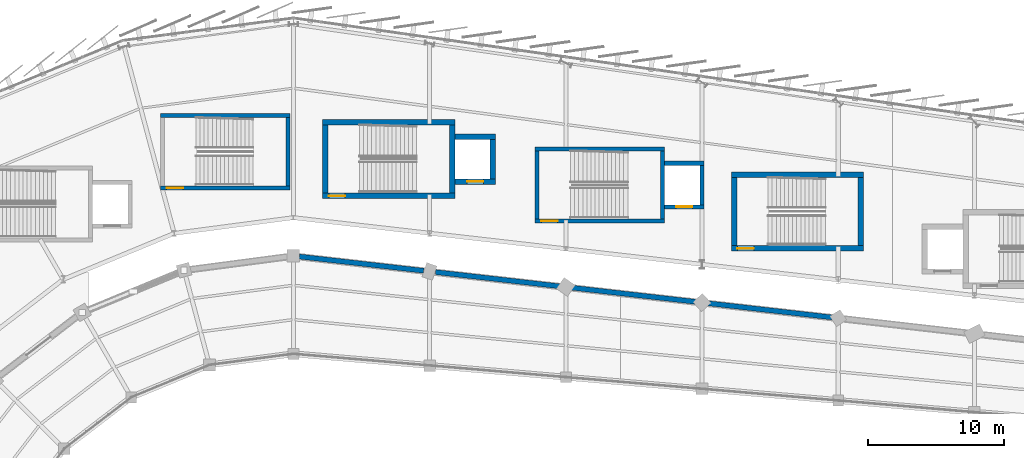
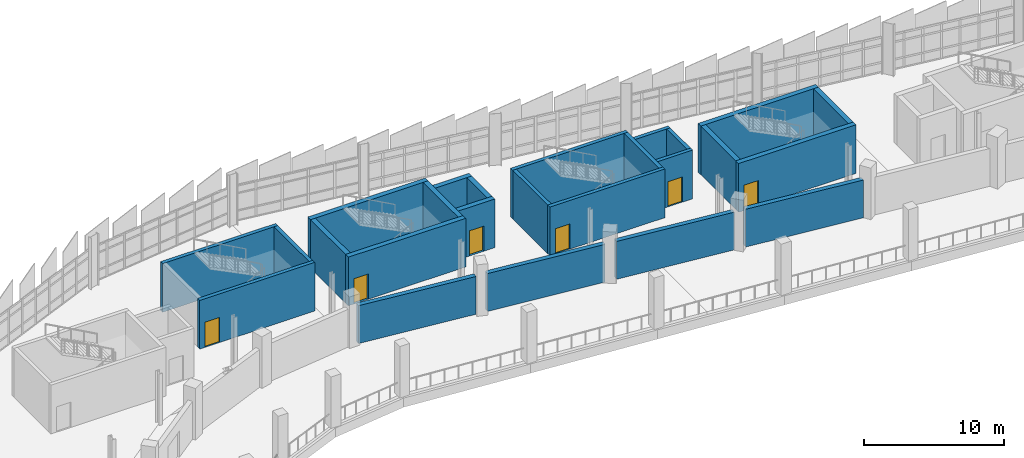
# One storey, part 106 of 125: 25 walls, 6 doors, 6 openings.
"""IFC4 building model written with IfcOpenShell, lengths in metres."""

from ifc_helpers import new_model, si_unit, direction, frame, frame_2d, origin, place, context, subcontext, project, spatial, rectangle, extrude, material, layer, layer_set, type_object, element, fill, save


model = new_model("IFC4")

# Units and contexts
model_context = context("Model", 3, precision=1e-05, world=origin(), true_north=direction((0.0, 1.0)))
body_context = subcontext(model_context, "Body", "Model", "MODEL_VIEW")
ifc_project = project(units=[si_unit("LENGTHUNIT", "METRE"), si_unit("AREAUNIT", "SQUARE_METRE"), si_unit("VOLUMEUNIT", "CUBIC_METRE"), si_unit("PLANEANGLEUNIT", "RADIAN"), si_unit("MASSUNIT", "GRAM", prefix="KILO")], contexts=[model_context])

# Site, building, storey
site_placement = place(None, origin())
site = spatial("IfcSite", under=ifc_project, at=site_placement, CompositionType="ELEMENT")
building_placement = place(site_placement, origin())
building = spatial("IfcBuilding", under=site, at=building_placement, Name="Sohan Crest Arena", CompositionType="ELEMENT")
storey_placement = place(building_placement, frame((0.0, 0.0, 9.0)))
storey = spatial("IfcBuildingStorey", under=building, at=storey_placement, Name="L02", CompositionType="ELEMENT", Elevation=9.0)

# Walls
ifc_material_1 = material(Name="Acoustic insulated bowl drum enclosure wall", Category="masonry")
ifc_layer_1 = layer(ifc_material_1, 0.3701171875, Name="Acoustic insulated bowl drum enclosure wall")
ifc_layer_set_1 = layer_set([ifc_layer_1], Name="Acoustic insulated bowl drum enclosure wall")
wall_type_1 = type_object("IfcWallType", Name="WAL-EW05", PredefinedType="SOLIDWALL", material=ifc_layer_set_1)
for number, where, z_axis, x_axis, name in (
    (1, (137.56298828125, 104.47900390625, 0.0), (0.0, 0.0, 1.0), (-0.993544661122, 0.113441642955, 0.0), "Acoustic bowl drum wall BW-L02-31"),
    (2, (127.56298828125, 105.62109375, 0.0), (0.0, 0.0, 1.0), (-0.993532672656, 0.113546591161, 0.0), "Acoustic bowl drum wall BW-L02-32"),
    (3, (117.56298828125, 106.763916015625, 0.0), (0.0, 0.0, 1.0), (-0.993532672656, 0.113546591161, 0.0), "Acoustic bowl drum wall BW-L02-33"),
    (4, (107.56298828125, 107.906982421875, 0.0), (0.0, 0.0, 1.0), (-0.993532672656, 0.113546591161, 0.0), "Acoustic bowl drum wall BW-L02-34"),
):
    element("IfcWall", number, at=place(storey_placement, frame(where, z_axis=z_axis, x_axis=x_axis)), inside=storey, type_object=wall_type_1, Name=name, PredefinedType="SOLIDWALL", context=body_context, shape_type="SweptSolid", body=[
        extrude(rectangle(XDim=9.185302734375, YDim=0.3701171875, at=frame_2d((4.5927734375, 0.0))), origin(), (0.0, 0.0, 1.0), 3.300048828125),
    ])
ifc_material_2 = material(Name="Concrete C40/50", Category="concrete")
ifc_layer_2 = layer(ifc_material_2, 0.300048828125, Name="Concrete C40/50")
ifc_layer_set_2 = layer_set([ifc_layer_2], Name="Concrete C40/50")
wall_type_2 = type_object("IfcWallType", Name="WAL-SW01", PredefinedType="SHEAR", material=ifc_layer_set_2)
for number, where, z_axis, x_axis, name in (
    (5, (115.89990234375, 111.699951171875, 0.0), (0.0, 0.0, 1.0), (0.0, 1.0, 0.0), "Core shear wall SW-0388"),
    (6, (125.10009765625, 111.699951171875, 0.0), (0.0, 0.0, 1.0), (0.0, 1.0, 0.0), "Core shear wall SW-0389"),
):
    element("IfcWall", number, at=place(storey_placement, frame(where, z_axis=z_axis, x_axis=x_axis)), inside=storey, type_object=wall_type_2, Name=name, PredefinedType="SHEAR", context=body_context, shape_type="SweptSolid", body=[
        extrude(rectangle(XDim=5.0, YDim=0.300048828125, at=frame_2d((2.5, 0.0))), origin(), (0.0, 0.0, 1.0), 4.25),
    ])

# Wall, opening, door
wall_1_placement = place(storey_placement, frame((115.75, 111.550048828125, 0.0), z_axis=(0.0, 0.0, 1.0), x_axis=(1.0, 0.0, 0.0)))
wall_1 = element("IfcWall", 7, at=wall_1_placement, inside=storey, type_object=wall_type_2, Name="Core shear wall SW-0390", PredefinedType="SHEAR", context=body_context, shape_type="SweptSolid", body=[
    extrude(rectangle(XDim=9.5, YDim=0.300048828125, at=frame_2d((4.75, 0.0))), origin(), (0.0, 0.0, 1.0), 4.25),
])
opening_1_placement = place(wall_1_placement, frame((0.449951171875, 0.0, 0.0)))
opening_1 = element("IfcOpeningElement", 8, at=opening_1_placement, cuts=wall_1, Name="Opening SD-0109", PredefinedType="OPENING", context=body_context, shape_type="SweptSolid", body=[
    extrude(rectangle(XDim=1.199951171875, YDim=2.199951171875, at=frame_2d((0.60009765625, 1.10009765625))), frame((0.0, 0.159912109375, 0.0), z_axis=(0.0, -1.0, 0.0), x_axis=(1.0, 0.0, 0.0)), (0.0, 0.0, 1.0), 0.320068359375),
])
ifc_material_3 = material(Name="Fire-rated steel stair and lobby door", Category="steel")
door_type_1 = type_object("IfcDoorType", Name="DR-FD04", OperationType="NOTDEFINED", PredefinedType="DOOR", material=ifc_material_3)
door_1_placement = place(opening_1_placement, frame((1.199951171875, 0.0, 0.0), z_axis=(0.0, 0.0, 1.0), x_axis=(-1.0, 0.0, 0.0)))
door_1 = element("IfcDoor", 9, at=door_1_placement, inside=storey, type_object=door_type_1, Name="Protected stair door SD-0109", OperationType="SINGLE_SWING_RIGHT", OverallHeight=2.199951171875, OverallWidth=1.199951171875, PredefinedType="DOOR", context=body_context, shape_type="SweptSolid", body=[
    extrude(rectangle(XDim=1.199951171875, YDim=2.199951171875, at=frame_2d((0.60009765625, 1.10009765625))), frame((0.0, 0.02490234375, 0.0), z_axis=(0.0, -1.0, 0.0), x_axis=(1.0, 0.0, 0.0)), (0.0, 0.0, 1.0), 0.050048828125),
])
fill(opening_1, door_1)

# Walls
wall_2_placement = place(storey_placement, frame((115.75, 116.85009765625, 0.0), z_axis=(0.0, 0.0, 1.0), x_axis=(1.0, 0.0, 0.0)))
element("IfcWall", 10, at=wall_2_placement, inside=storey, type_object=wall_type_2, Name="Core shear wall SW-0391", PredefinedType="SHEAR", context=body_context, shape_type="SweptSolid", body=[
    extrude(rectangle(XDim=9.5, YDim=0.300048828125, at=frame_2d((4.75, 0.0))), origin(), (0.0, 0.0, 1.0), 4.25),
])
wall_3_placement = place(storey_placement, frame((128.0, 112.75, 0.0), z_axis=(0.0, 0.0, 1.0), x_axis=(0.0, 1.0, 0.0)))
element("IfcWall", 11, at=wall_3_placement, inside=storey, type_object=wall_type_2, Name="Core shear wall SW-0392", PredefinedType="SHEAR", context=body_context, shape_type="SweptSolid", body=[
    extrude(rectangle(XDim=2.89990234375, YDim=0.300048828125, at=frame_2d((1.449951171875, 0.0))), origin(), (0.0, 0.0, 1.0), 4.25),
])

# Wall, opening, door
wall_4_placement = place(storey_placement, frame((125.25, 112.60009765625, 0.0), z_axis=(0.0, 0.0, 1.0), x_axis=(1.0, 0.0, 0.0)))
wall_4 = element("IfcWall", 12, at=wall_4_placement, inside=storey, type_object=wall_type_2, Name="Core shear wall SW-0393", PredefinedType="SHEAR", context=body_context, shape_type="SweptSolid", body=[
    extrude(rectangle(XDim=2.89990234375, YDim=0.300048828125, at=frame_2d((1.449951171875, 0.0))), origin(), (0.0, 0.0, 1.0), 4.25),
])
opening_2_placement = place(wall_4_placement, frame((0.85009765625, 0.0, 0.0)))
opening_2 = element("IfcOpeningElement", 13, at=opening_2_placement, cuts=wall_4, Name="Opening LD-LP06-L02", PredefinedType="OPENING", context=body_context, shape_type="SweptSolid", body=[
    extrude(rectangle(XDim=1.199951171875, YDim=2.199951171875, at=frame_2d((0.60009765625, 1.10009765625))), frame((0.0, 0.159912109375, 0.0), z_axis=(0.0, -1.0, 0.0), x_axis=(1.0, 0.0, 0.0)), (0.0, 0.0, 1.0), 0.320068359375),
])
ifc_material_4 = material(Name="Stainless steel passenger lift landing door", Category="steel")
door_type_2 = type_object("IfcDoorType", Name="DR-LD02", OperationType="SLIDING_TO_LEFT", PredefinedType="DOOR", material=ifc_material_4)
door_2_placement = place(opening_2_placement, origin())
door_2 = element("IfcDoor", 14, at=door_2_placement, inside=storey, type_object=door_type_2, Name="Sliding lift landing door LD-LP06-L02", OperationType="SLIDING_TO_LEFT", OverallHeight=2.199951171875, OverallWidth=1.199951171875, PredefinedType="DOOR", context=body_context, shape_type="SweptSolid", body=[
    extrude(rectangle(XDim=1.199951171875, YDim=2.199951171875, at=frame_2d((0.60009765625, 1.10009765625))), frame((0.0, 0.02490234375, 0.0), z_axis=(0.0, -1.0, 0.0), x_axis=(1.0, 0.0, 0.0)), (0.0, 0.0, 1.0), 0.050048828125),
])
fill(opening_2, door_2)

# Walls
wall_5_placement = place(storey_placement, frame((125.25, 115.800048828125, 0.0), z_axis=(0.0, 0.0, 1.0), x_axis=(1.0, 0.0, 0.0)))
element("IfcWall", 15, at=wall_5_placement, inside=storey, type_object=wall_type_2, Name="Core shear wall SW-0394", PredefinedType="SHEAR", context=body_context, shape_type="SweptSolid", body=[
    extrude(rectangle(XDim=2.89990234375, YDim=0.300048828125, at=frame_2d((1.449951171875, 0.0))), origin(), (0.0, 0.0, 1.0), 4.25),
])
wall_6_placement = place(storey_placement, frame((97.60009765625, 114.139892578125, 0.0), z_axis=(0.0, 0.0, 1.0), x_axis=(0.0, 1.0, 0.0)))
element("IfcWall", 16, at=wall_6_placement, inside=storey, type_object=wall_type_2, Name="Core shear wall SW-0770", PredefinedType="SHEAR", context=body_context, shape_type="SweptSolid", body=[
    extrude(rectangle(XDim=5.0, YDim=0.300048828125, at=frame_2d((2.5, 0.0))), origin(), (0.0, 0.0, 1.0), 4.25),
])

# Wall, opening, door
wall_7_placement = place(storey_placement, frame((88.25, 113.989990234375, 0.0), z_axis=(0.0, 0.0, 1.0), x_axis=(1.0, 0.0, 0.0)))
wall_7 = element("IfcWall", 17, at=wall_7_placement, inside=storey, type_object=wall_type_2, Name="Core shear wall SW-0771", PredefinedType="SHEAR", context=body_context, shape_type="SweptSolid", body=[
    extrude(rectangle(XDim=9.5, YDim=0.300048828125, at=frame_2d((4.75, 0.0))), origin(), (0.0, 0.0, 1.0), 4.25),
])
opening_3_placement = place(wall_7_placement, frame((0.449951171875, 0.0, 0.0)))
opening_3 = element("IfcOpeningElement", 18, at=opening_3_placement, cuts=wall_7, Name="Opening SD-0208", PredefinedType="OPENING", context=body_context, shape_type="SweptSolid", body=[
    extrude(rectangle(XDim=1.199951171875, YDim=2.199951171875, at=frame_2d((0.60009765625, 1.10009765625))), frame((0.0, 0.159912109375, 0.0), z_axis=(0.0, -1.0, 0.0), x_axis=(1.0, 0.0, 0.0)), (0.0, 0.0, 1.0), 0.320068359375),
])
door_3_placement = place(opening_3_placement, frame((1.199951171875, 0.0, 0.0), z_axis=(0.0, 0.0, 1.0), x_axis=(-1.0, 0.0, 0.0)))
door_3 = element("IfcDoor", 19, at=door_3_placement, inside=storey, type_object=door_type_1, Name="Protected stair door SD-0208", OperationType="SINGLE_SWING_RIGHT", OverallHeight=2.199951171875, OverallWidth=1.199951171875, PredefinedType="DOOR", context=body_context, shape_type="SweptSolid", body=[
    extrude(rectangle(XDim=1.199951171875, YDim=2.199951171875, at=frame_2d((0.60009765625, 1.10009765625))), frame((0.0, 0.02490234375, 0.0), z_axis=(0.0, -1.0, 0.0), x_axis=(1.0, 0.0, 0.0)), (0.0, 0.0, 1.0), 0.050048828125),
])
fill(opening_3, door_3)

# Walls
wall_8_placement = place(storey_placement, frame((88.25, 119.2900390625, 0.0), z_axis=(0.0, 0.0, 1.0), x_axis=(1.0, 0.0, 0.0)))
element("IfcWall", 20, at=wall_8_placement, inside=storey, type_object=wall_type_2, Name="Core shear wall SW-0772", PredefinedType="SHEAR", context=body_context, shape_type="SweptSolid", body=[
    extrude(rectangle(XDim=9.5, YDim=0.300048828125, at=frame_2d((4.75, 0.0))), origin(), (0.0, 0.0, 1.0), 4.25),
])
ifc_layer_3 = layer(ifc_material_2, 0.39990234375, Name="Concrete C40/50")
ifc_layer_set_3 = layer_set([ifc_layer_3], Name="Concrete C40/50")
wall_type_3 = type_object("IfcWallType", Name="WAL-SW03", PredefinedType="SHEAR", material=ifc_layer_set_3)
for number, where, z_axis, x_axis, name in (
    (21, (100.35009765625, 113.60009765625, 0.0), (0.0, 0.0, 1.0), (0.0, 1.0, 0.0), "Core shear wall SW-0303"),
    (22, (109.64990234375, 113.60009765625, 0.0), (0.0, 0.0, 1.0), (0.0, 1.0, 0.0), "Core shear wall SW-0304"),
):
    element("IfcWall", number, at=place(storey_placement, frame(where, z_axis=z_axis, x_axis=x_axis)), inside=storey, type_object=wall_type_3, Name=name, PredefinedType="SHEAR", context=body_context, shape_type="SweptSolid", body=[
        extrude(rectangle(XDim=5.0, YDim=0.39990234375, at=frame_2d((2.5, 0.0))), origin(), (0.0, 0.0, 1.0), 4.25),
    ])

# Wall, opening, door
wall_9_placement = place(storey_placement, frame((100.14990234375, 113.39990234375, 0.0), z_axis=(0.0, 0.0, 1.0), x_axis=(1.0, 0.0, 0.0)))
wall_9 = element("IfcWall", 23, at=wall_9_placement, inside=storey, type_object=wall_type_3, Name="Core shear wall SW-0305", PredefinedType="SHEAR", context=body_context, shape_type="SweptSolid", body=[
    extrude(rectangle(XDim=9.7001953125, YDim=0.39990234375, at=frame_2d((4.85009765625, 0.0))), origin(), (0.0, 0.0, 1.0), 4.25),
])
opening_4_placement = place(wall_9_placement, frame((0.449951171875, 0.0, 0.0)))
opening_4 = element("IfcOpeningElement", 24, at=opening_4_placement, cuts=wall_9, Name="Opening SD-0087", PredefinedType="OPENING", context=body_context, shape_type="SweptSolid", body=[
    extrude(rectangle(XDim=1.199951171875, YDim=2.199951171875, at=frame_2d((0.60009765625, 1.10009765625))), frame((0.0, 0.2099609375, 0.0), z_axis=(0.0, -1.0, 0.0), x_axis=(1.0, 0.0, 0.0)), (0.0, 0.0, 1.0), 0.419921875),
])
door_4_placement = place(opening_4_placement, frame((1.199951171875, 0.0, 0.0), z_axis=(0.0, 0.0, 1.0), x_axis=(-1.0, 0.0, 0.0)))
door_4 = element("IfcDoor", 25, at=door_4_placement, inside=storey, type_object=door_type_1, Name="Protected stair door SD-0087", OperationType="SINGLE_SWING_LEFT", OverallHeight=2.199951171875, OverallWidth=1.199951171875, PredefinedType="DOOR", context=body_context, shape_type="SweptSolid", body=[
    extrude(rectangle(XDim=1.199951171875, YDim=2.199951171875, at=frame_2d((0.60009765625, 1.10009765625))), frame((0.0, 0.02490234375, 0.0), z_axis=(0.0, -1.0, 0.0), x_axis=(1.0, 0.0, 0.0)), (0.0, 0.0, 1.0), 0.050048828125),
])
fill(opening_4, door_4)

# Walls
wall_10_placement = place(storey_placement, frame((100.14990234375, 118.800048828125, 0.0), z_axis=(0.0, 0.0, 1.0), x_axis=(1.0, 0.0, 0.0)))
element("IfcWall", 26, at=wall_10_placement, inside=storey, type_object=wall_type_3, Name="Core shear wall SW-0306", PredefinedType="SHEAR", context=body_context, shape_type="SweptSolid", body=[
    extrude(rectangle(XDim=9.7001953125, YDim=0.39990234375, at=frame_2d((4.85009765625, 0.0))), origin(), (0.0, 0.0, 1.0), 4.25),
])
wall_11_placement = place(storey_placement, frame((112.64990234375, 114.64990234375, 0.0), z_axis=(0.0, 0.0, 1.0), x_axis=(0.0, 1.0, 0.0)))
element("IfcWall", 27, at=wall_11_placement, inside=storey, type_object=wall_type_3, Name="Core shear wall SW-0307", PredefinedType="SHEAR", context=body_context, shape_type="SweptSolid", body=[
    extrude(rectangle(XDim=2.900146484375, YDim=0.39990234375, at=frame_2d((1.4501953125, 0.0))), origin(), (0.0, 0.0, 1.0), 4.25),
])

# Wall, opening, door
wall_12_placement = place(storey_placement, frame((109.85009765625, 114.449951171875, 0.0), z_axis=(0.0, 0.0, 1.0), x_axis=(1.0, 0.0, 0.0)))
wall_12 = element("IfcWall", 28, at=wall_12_placement, inside=storey, type_object=wall_type_3, Name="Core shear wall SW-0308", PredefinedType="SHEAR", context=body_context, shape_type="SweptSolid", body=[
    extrude(rectangle(XDim=3.0, YDim=0.39990234375, at=frame_2d((1.5, 0.0))), origin(), (0.0, 0.0, 1.0), 4.25),
])
opening_5_placement = place(wall_12_placement, frame((0.89990234375, 0.0, 0.0)))
opening_5 = element("IfcOpeningElement", 29, at=opening_5_placement, cuts=wall_12, Name="Opening LD-LP04-L02", PredefinedType="OPENING", context=body_context, shape_type="SweptSolid", body=[
    extrude(rectangle(XDim=1.199951171875, YDim=2.199951171875, at=frame_2d((0.60009765625, 1.10009765625))), frame((0.0, 0.2099609375, 0.0), z_axis=(0.0, -1.0, 0.0), x_axis=(1.0, 0.0, 0.0)), (0.0, 0.0, 1.0), 0.419921875),
])
door_5_placement = place(opening_5_placement, origin())
door_5 = element("IfcDoor", 30, at=door_5_placement, inside=storey, type_object=door_type_2, Name="Sliding lift landing door LD-LP04-L02", OperationType="SLIDING_TO_LEFT", OverallHeight=2.199951171875, OverallWidth=1.199951171875, PredefinedType="DOOR", context=body_context, shape_type="SweptSolid", body=[
    extrude(rectangle(XDim=1.199951171875, YDim=2.199951171875, at=frame_2d((0.60009765625, 1.10009765625))), frame((0.0, 0.02490234375, 0.0), z_axis=(0.0, -1.0, 0.0), x_axis=(1.0, 0.0, 0.0)), (0.0, 0.0, 1.0), 0.050048828125),
])
fill(opening_5, door_5)

# Walls
wall_13_placement = place(storey_placement, frame((109.85009765625, 117.75, 0.0), z_axis=(0.0, 0.0, 1.0), x_axis=(1.0, 0.0, 0.0)))
element("IfcWall", 31, at=wall_13_placement, inside=storey, type_object=wall_type_3, Name="Core shear wall SW-0309", PredefinedType="SHEAR", context=body_context, shape_type="SweptSolid", body=[
    extrude(rectangle(XDim=3.0, YDim=0.39990234375, at=frame_2d((1.5, 0.0))), origin(), (0.0, 0.0, 1.0), 4.25),
])
for number, where, z_axis, x_axis, name in (
    (32, (130.35009765625, 109.75, 0.0), (0.0, 0.0, 1.0), (0.0, 1.0, 0.0), "Core shear wall SW-0817"),
    (33, (139.64990234375, 109.75, 0.0), (0.0, 0.0, 1.0), (0.0, 1.0, 0.0), "Core shear wall SW-0818"),
):
    element("IfcWall", number, at=place(storey_placement, frame(where, z_axis=z_axis, x_axis=x_axis)), inside=storey, type_object=wall_type_3, Name=name, PredefinedType="SHEAR", context=body_context, shape_type="SweptSolid", body=[
        extrude(rectangle(XDim=5.0, YDim=0.39990234375, at=frame_2d((2.5, 0.0))), origin(), (0.0, 0.0, 1.0), 4.25),
    ])

# Wall, opening, door
wall_14_placement = place(storey_placement, frame((130.14990234375, 109.550048828125, 0.0), z_axis=(0.0, 0.0, 1.0), x_axis=(1.0, 0.0, 0.0)))
wall_14 = element("IfcWall", 34, at=wall_14_placement, inside=storey, type_object=wall_type_3, Name="Core shear wall SW-0819", PredefinedType="SHEAR", context=body_context, shape_type="SweptSolid", body=[
    extrude(rectangle(XDim=9.7001953125, YDim=0.39990234375, at=frame_2d((4.85009765625, 0.0))), origin(), (0.0, 0.0, 1.0), 4.25),
])
opening_6_placement = place(wall_14_placement, frame((0.449951171875, 0.0, 0.0)))
opening_6 = element("IfcOpeningElement", 35, at=opening_6_placement, cuts=wall_14, Name="Opening SD-0220", PredefinedType="OPENING", context=body_context, shape_type="SweptSolid", body=[
    extrude(rectangle(XDim=1.199951171875, YDim=2.199951171875, at=frame_2d((0.60009765625, 1.10009765625))), frame((0.0, 0.2099609375, 0.0), z_axis=(0.0, -1.0, 0.0), x_axis=(1.0, 0.0, 0.0)), (0.0, 0.0, 1.0), 0.419921875),
])
door_6_placement = place(opening_6_placement, frame((1.199951171875, 0.0, 0.0), z_axis=(0.0, 0.0, 1.0), x_axis=(-1.0, 0.0, 0.0)))
door_6 = element("IfcDoor", 36, at=door_6_placement, inside=storey, type_object=door_type_1, Name="Protected stair door SD-0220", OperationType="SINGLE_SWING_RIGHT", OverallHeight=2.199951171875, OverallWidth=1.199951171875, PredefinedType="DOOR", context=body_context, shape_type="SweptSolid", body=[
    extrude(rectangle(XDim=1.199951171875, YDim=2.199951171875, at=frame_2d((0.60009765625, 1.10009765625))), frame((0.0, 0.02490234375, 0.0), z_axis=(0.0, -1.0, 0.0), x_axis=(1.0, 0.0, 0.0)), (0.0, 0.0, 1.0), 0.050048828125),
])
fill(opening_6, door_6)

# Wall
wall_15_placement = place(storey_placement, frame((130.14990234375, 114.949951171875, 0.0), z_axis=(0.0, 0.0, 1.0), x_axis=(1.0, 0.0, 0.0)))
element("IfcWall", 37, at=wall_15_placement, inside=storey, type_object=wall_type_3, Name="Core shear wall SW-0820", PredefinedType="SHEAR", context=body_context, shape_type="SweptSolid", body=[
    extrude(rectangle(XDim=9.7001953125, YDim=0.39990234375, at=frame_2d((4.85009765625, 0.0))), origin(), (0.0, 0.0, 1.0), 4.25),
])

save(model, "model.ifc")
